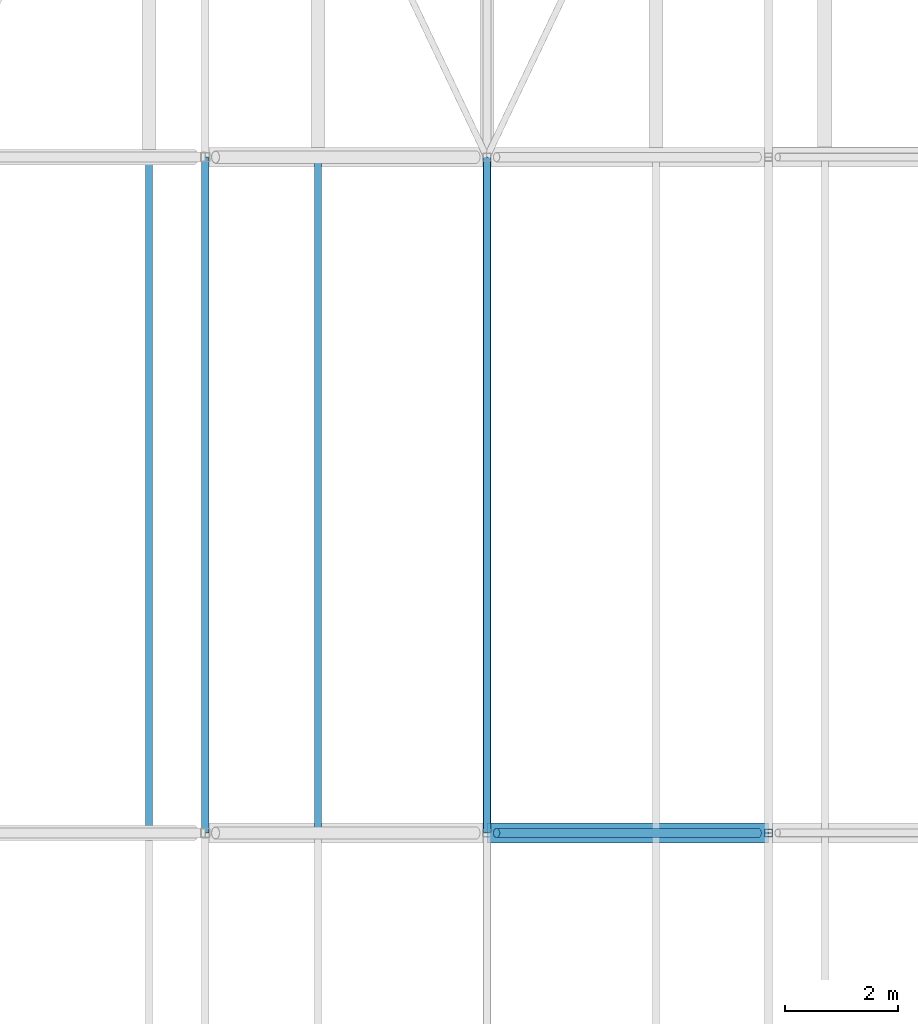
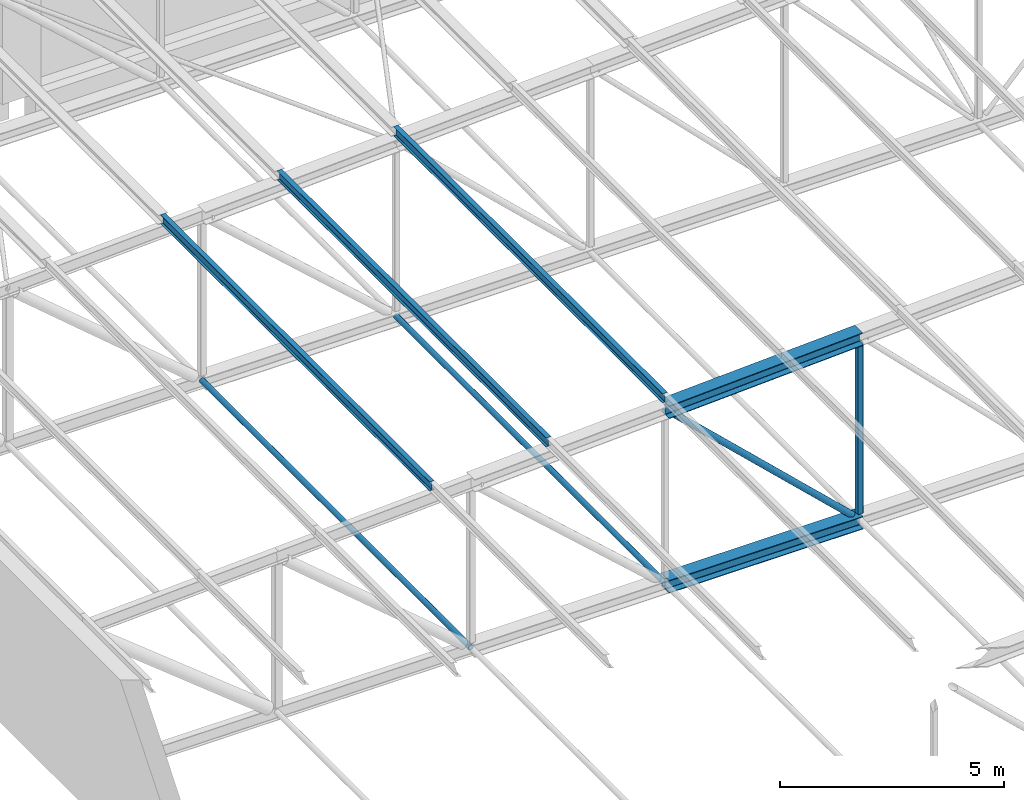
# One storey, part 107 of 156: 9 members.
"""IFC4 building model written with IfcOpenShell, lengths in metres."""

from ifc_helpers import new_model, si_unit, direction, frame, origin, origin_2d, place, context, subcontext, project, spatial, hollow_rectangle, hollow_circle, i_section, extrude, material, material_profile, profile_set, type_object, element, save


model = new_model("IFC4")

# Units and contexts
model_context = context("Model", 3, precision=1e-05, world=origin(), true_north=direction((0.0, 1.0)))
body_context = subcontext(model_context, "Body", "Model", "MODEL_VIEW")
ifc_project = project(units=[si_unit("LENGTHUNIT", "METRE"), si_unit("AREAUNIT", "SQUARE_METRE"), si_unit("VOLUMEUNIT", "CUBIC_METRE"), si_unit("PLANEANGLEUNIT", "RADIAN"), si_unit("MASSUNIT", "GRAM", prefix="KILO")], contexts=[model_context])

# Site, building, storey
site_placement = place(None, origin())
site = spatial("IfcSite", under=ifc_project, at=site_placement, CompositionType="ELEMENT")
building_placement = place(site_placement, origin())
building = spatial("IfcBuilding", under=site, at=building_placement, Name="Lilac Gate Convention Centre", CompositionType="ELEMENT")
storey_placement = place(building_placement, frame((0.0, 0.0, 17.0)))
storey = spatial("IfcBuildingStorey", under=building, at=storey_placement, Name="L03", CompositionType="ELEMENT", Elevation=17.0)

# Members
ifc_material = material(Name="Steel Q355B", Category="steel")
ifc_material_profile_1 = material_profile(ifc_material, hollow_circle(Radius=0.06982421875, WallThickness=0.0048828125, at=origin_2d()), Name="CHS139.7x5")
ifc_profile_set_1 = profile_set([ifc_material_profile_1], Name="Steel Q355B")
member_type_1 = type_object("IfcMemberType", Name="Bottom chord tie CHS139.7x5", PredefinedType="STRUT", material=ifc_profile_set_1)
member_1_placement = place(storey_placement, frame((40.0, 198.00341796875, 0.0), z_axis=(0.0, 1.0, 0.0), x_axis=(-1.0, 0.0, 0.0)))
element("IfcMember", 1, at=member_1_placement, inside=storey, type_object=member_type_1, Name="ST1 tie bay 15 node 3", PredefinedType="STRUT", context=body_context, shape_type="SweptSolid", body=[
    extrude(hollow_circle(Radius=0.06982421875, WallThickness=0.0048828125, at=origin_2d()), origin(), (0.0, 0.0, 1.0), 11.9931640625),
])
member_2_placement = place(storey_placement, frame((45.0, 198.006103515625, 0.0), z_axis=(0.0, 1.0, 0.0), x_axis=(-1.0, 0.0, 0.0)))
element("IfcMember", 2, at=member_2_placement, inside=storey, type_object=member_type_1, Name="ST1 tie bay 15 node 4", PredefinedType="STRUT", context=body_context, shape_type="SweptSolid", body=[
    extrude(hollow_circle(Radius=0.06982421875, WallThickness=0.0048828125, at=origin_2d()), origin(), (0.0, 0.0, 1.0), 11.98779296875),
])
ifc_material_profile_2 = material_profile(ifc_material, i_section(OverallWidth=0.125, OverallDepth=0.25, WebThickness=0.006103515625, FlangeThickness=0.009033203125, FilletRadius=0.008056640625, at=origin_2d()), Name="HN250x125x6x9")
ifc_profile_set_2 = profile_set([ifc_material_profile_2], Name="Steel Q355B")
member_type_2 = type_object("IfcMemberType", Name="Roof purlin HN250x125x6x9", PredefinedType="PURLIN", material=ifc_profile_set_2)
for number, where, z_axis, x_axis, name in (
    (3, (39.0, 198.0, 4.750244140625), (0.0, 1.0, 0.0), (-1.0, 0.0, 0.0), "PU2 purlin bay 15 line 4"),
    (4, (42.0, 198.0, 4.900146484375), (0.0, 1.0, 0.0), (-1.0, 0.0, 0.0), "PU2 purlin bay 15 line 5"),
    (5, (45.0, 198.0, 5.05029296875), (0.0, 1.0, 0.0), (-1.0, 0.0, 0.0), "PU2 purlin bay 15 line 6"),
):
    element("IfcMember", number, at=place(storey_placement, frame(where, z_axis=z_axis, x_axis=x_axis)), inside=storey, type_object=member_type_2, Name=name, PredefinedType="PURLIN", context=body_context, shape_type="SweptSolid", body=[
        extrude(i_section(OverallWidth=0.125, OverallDepth=0.25, WebThickness=0.006103515625, FlangeThickness=0.009033203125, FilletRadius=0.008056640625, at=origin_2d()), origin(), (0.0, 0.0, 1.0), 12.0),
    ])
ifc_material_profile_3 = material_profile(ifc_material, i_section(OverallWidth=0.35009765625, OverallDepth=0.35009765625, WebThickness=0.011962890625, FlangeThickness=0.01904296875, FilletRadius=0.012939453125, at=origin_2d()), Name="HW350x350x12x19")
ifc_profile_set_3 = profile_set([ifc_material_profile_3], Name="Steel Q355B")
member_type_3 = type_object("IfcMemberType", Name="Truss bottom chord HW350x350x12x19", PredefinedType="CHORD", material=ifc_profile_set_3)
member_3_placement = place(storey_placement, frame((45.0, 198.0, 0.0), z_axis=(1.0, 0.0, 0.0), x_axis=(0.0, 1.0, 0.0)))
element("IfcMember", 6, at=member_3_placement, inside=storey, type_object=member_type_3, Name="TB2 truss 15 bottom chord 4", PredefinedType="CHORD", context=body_context, shape_type="SweptSolid", body=[
    extrude(i_section(OverallWidth=0.35009765625, OverallDepth=0.35009765625, WebThickness=0.011962890625, FlangeThickness=0.01904296875, FilletRadius=0.012939453125, at=origin_2d()), origin(), (0.0, 0.0, 1.0), 5.0),
])
ifc_material_profile_4 = material_profile(ifc_material, hollow_circle(Radius=0.084228515625, WallThickness=0.006103515625, at=origin_2d()), Name="CHS168.3x6")
ifc_profile_set_4 = profile_set([ifc_material_profile_4], Name="Steel Q355B")
member_type_4 = type_object("IfcMemberType", Name="Truss diagonal CHS168.3x6", PredefinedType="BRACE", material=ifc_profile_set_4)
member_4_placement = place(storey_placement, frame((45.1728515625, 198.0, 4.585693359375), z_axis=(0.725020373275, 0.0, -0.688727419475), x_axis=(0.0, 1.0, 0.0)))
element("IfcMember", 7, at=member_4_placement, inside=storey, type_object=member_type_4, Name="TW4 truss 15 diagonal 4", PredefinedType="BRACE", context=body_context, shape_type="SweptSolid", body=[
    extrude(hollow_circle(Radius=0.084228515625, WallThickness=0.006103515625, at=origin_2d()), origin(), (0.0, 0.0, 1.0), 6.404052734375),
])
ifc_material_profile_5 = material_profile(ifc_material, i_section(OverallWidth=0.35009765625, OverallDepth=0.35009765625, WebThickness=0.011962890625, FlangeThickness=0.01904296875, FilletRadius=0.012939453125, at=origin_2d()), Name="HW350x350x12x19")
ifc_profile_set_5 = profile_set([ifc_material_profile_5], Name="Steel Q355B")
member_type_5 = type_object("IfcMemberType", Name="Truss top chord HW350x350x12x19", PredefinedType="CHORD", material=ifc_profile_set_5)
member_5_placement = place(storey_placement, frame((45.0, 198.0, 4.75), z_axis=(0.998752338878, 0.0, 0.049937616944), x_axis=(0.0, 1.0, 0.0)))
element("IfcMember", 8, at=member_5_placement, inside=storey, type_object=member_type_5, Name="TT2 truss 15 top chord 4", PredefinedType="CHORD", context=body_context, shape_type="SweptSolid", body=[
    extrude(i_section(OverallWidth=0.35009765625, OverallDepth=0.35009765625, WebThickness=0.011962890625, FlangeThickness=0.01904296875, FilletRadius=0.012939453125, at=origin_2d()), origin(), (0.0, 0.0, 1.0), 5.00634765625),
])
ifc_material_profile_6 = material_profile(ifc_material, hollow_rectangle(XDim=0.139892578125, YDim=0.139892578125, WallThickness=0.0048828125, InnerFilletRadius=0.0048828125, OuterFilletRadius=0.010009765625, at=origin_2d()), Name="SHS140x140x5")
ifc_profile_set_6 = profile_set([ifc_material_profile_6], Name="Steel Q355B")
member_type_6 = type_object("IfcMemberType", Name="Truss vertical SHS140x140x5", PredefinedType="STRUT", material=ifc_profile_set_6)
member_6_placement = place(storey_placement, frame((50.0, 198.0, 0.175048828125), z_axis=(0.0, 0.0, 1.0), x_axis=(1.0, 0.0, 0.0)))
element("IfcMember", 9, at=member_6_placement, inside=storey, type_object=member_type_6, Name="TV4 truss 15 vertical 5", PredefinedType="STRUT", context=body_context, shape_type="SweptSolid", body=[
    extrude(hollow_rectangle(XDim=0.139892578125, YDim=0.139892578125, WallThickness=0.0048828125, InnerFilletRadius=0.0048828125, OuterFilletRadius=0.010009765625, at=origin_2d()), origin(), (0.0, 0.0, 1.0), 4.649658203125),
])

save(model, "model.ifc")
